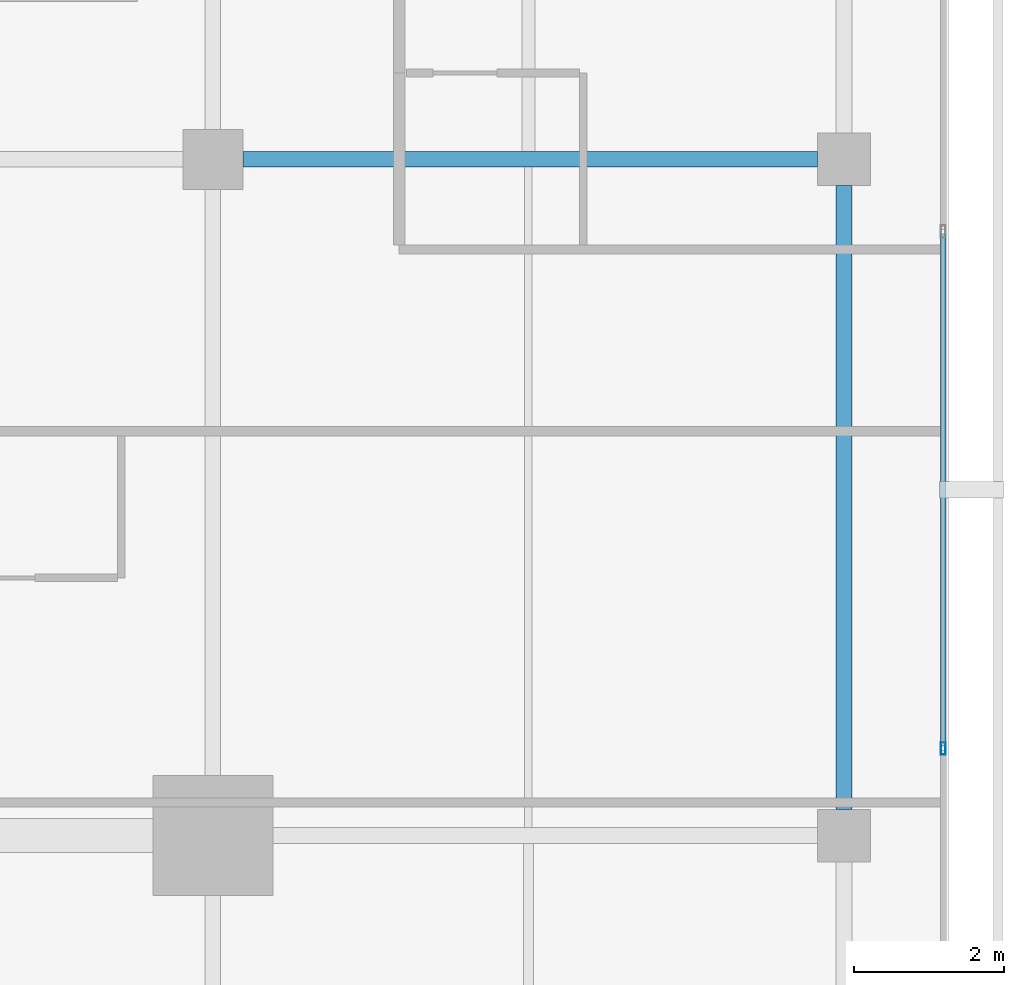
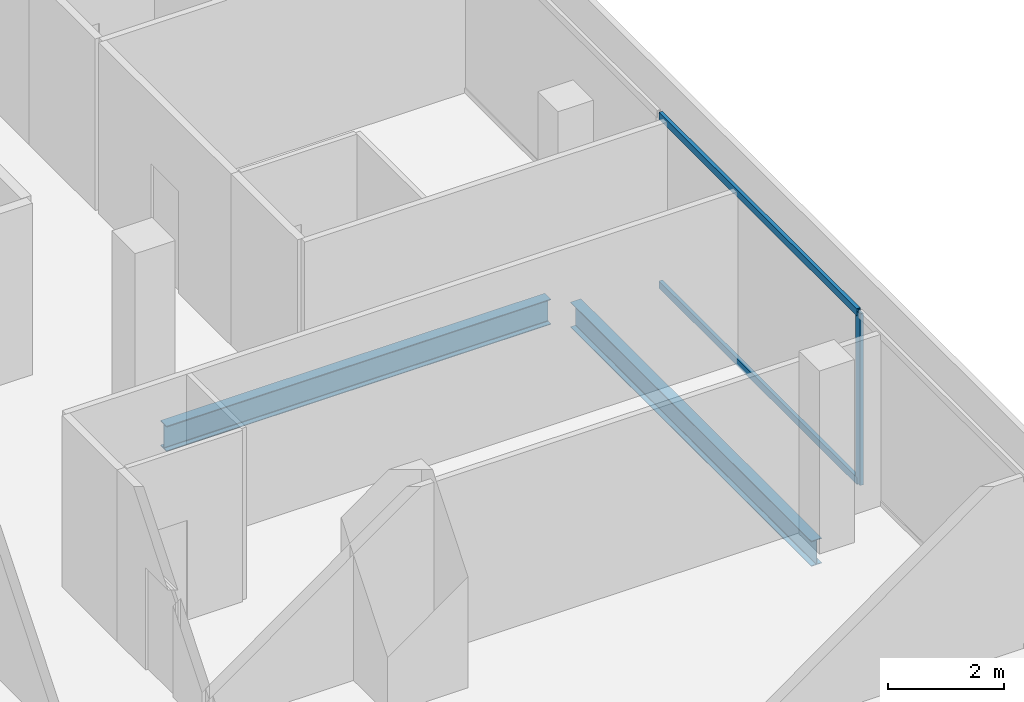
# One storey, part 14 of 25: 3 members, 2 beams, 1 element without a shape of its own.
"""IFC4 building model written with IfcOpenShell, lengths in metres."""

from ifc_helpers import new_model, si_unit, direction, frame, origin, origin_2d, place, context, subcontext, project, spatial, hollow_rectangle, i_section, extrude, material, layer, layer_set, material_profile, profile_set, type_object, element, aggregate, save


model = new_model("IFC4")

# Units and contexts
model_context = context("Model", 3, precision=1e-05, world=origin(), true_north=direction((0.0, 1.0)))
body_context = subcontext(model_context, "Body", "Model", "MODEL_VIEW")
ifc_project = project(units=[si_unit("LENGTHUNIT", "METRE"), si_unit("AREAUNIT", "SQUARE_METRE"), si_unit("VOLUMEUNIT", "CUBIC_METRE"), si_unit("PLANEANGLEUNIT", "RADIAN"), si_unit("MASSUNIT", "GRAM", prefix="KILO")], contexts=[model_context])

# Site, building, storey
site_placement = place(None, origin())
site = spatial("IfcSite", under=ifc_project, at=site_placement, CompositionType="ELEMENT")
building_placement = place(site_placement, origin())
building = spatial("IfcBuilding", under=site, at=building_placement, Name="Maruvema Waterfront Hotel and Observation Tower", CompositionType="ELEMENT")
storey_placement = place(building_placement, frame((0.0, 0.0, 250.949951171875)))
storey = spatial("IfcBuildingStorey", under=building, at=storey_placement, Name="L61", CompositionType="ELEMENT", Elevation=250.949951171875)

# Curtain wall, members
ifc_material_1 = material(Name="Anodised bronze aluminium and solar-control low-E IGU", Category="aluminium")
ifc_layer = layer(ifc_material_1, 0.159912109375, Name="Zone 3 Champagne Inner Thermal Curtain Wall System CW-04")
ifc_layer_set = layer_set([ifc_layer], Name="Anodised bronze aluminium and solar-control low-E IGU")
curtain_wall_type = type_object("IfcCurtainWallType", Name="Zone 3 Champagne Inner Thermal Curtain Wall System CW-04", PredefinedType="USERDEFINED", material=ifc_layer_set)
curtain_wall_placement = place(storey_placement, origin())
curtain_wall = element("IfcCurtainWall", 1, at=curtain_wall_placement, inside=storey, type_object=curtain_wall_type, Name="L61 Curtain Wall CW-L61-E", ObjectType="UNITISED CURTAIN WALL", PredefinedType="USERDEFINED")
ifc_material_2 = material(Name="Anodised architectural bronze aluminium", Category="aluminium")
ifc_material_profile_1 = material_profile(ifc_material_2, hollow_rectangle(XDim=0.070068359375, YDim=0.14990234375, WallThickness=0.00390625, at=origin_2d()), Name="ALU-T70x150")
ifc_profile_set_1 = profile_set([ifc_material_profile_1], Name="Anodised architectural bronze aluminium")
member_type_1 = type_object("IfcMemberType", Name="Curtain Wall Horizontal Transom ALU-T70x150", PredefinedType="USERDEFINED", material=ifc_profile_set_1)
member_1_placement = place(storey_placement, frame((60.1201171875, 28.18994140625, 0.030029296875), z_axis=(0.0, 1.0, 0.0), x_axis=(-1.0, 0.0, 0.0)))
member_1 = element("IfcMember", 2, at=member_1_placement, type_object=member_type_1, Name="CW-04 transom 3.1", ObjectType="TRANSOM", PredefinedType="USERDEFINED", context=body_context, shape_type="SweptSolid", body=[
    extrude(hollow_rectangle(XDim=0.070068359375, YDim=0.14990234375, WallThickness=0.00390625, at=origin_2d()), origin(), (0.0, 0.0, 1.0), 6.820068359375),
])
member_2_placement = place(storey_placement, frame((60.1201171875, 28.18994140625, 3.580078125), z_axis=(0.0, 1.0, 0.0), x_axis=(-1.0, 0.0, 0.0)))
member_2 = element("IfcMember", 3, at=member_2_placement, type_object=member_type_1, Name="CW-04 transom 3.2", ObjectType="TRANSOM", PredefinedType="USERDEFINED", context=body_context, shape_type="SweptSolid", body=[
    extrude(hollow_rectangle(XDim=0.070068359375, YDim=0.14990234375, WallThickness=0.00390625, at=origin_2d()), origin(), (0.0, 0.0, 1.0), 6.820068359375),
])
ifc_material_3 = material(Name="Anodised architectural bronze aluminium", Category="aluminium")
ifc_material_profile_2 = material_profile(ifc_material_3, hollow_rectangle(XDim=0.06494140625, YDim=0.1650390625, WallThickness=0.00390625, at=origin_2d()), Name="ALU-M65x165")
ifc_profile_set_2 = profile_set([ifc_material_profile_2], Name="Anodised architectural bronze aluminium")
member_type_2 = type_object("IfcMemberType", Name="Curtain Wall Primary Mullion ALU-M65x165", PredefinedType="MULLION", material=ifc_profile_set_2)
member_3_placement = place(storey_placement, frame((60.1201171875, 28.159912109375, 0.0), z_axis=(0.0, 0.0, 1.0), x_axis=(-1.0, 0.0, 0.0)))
member_3 = element("IfcMember", 4, at=member_3_placement, type_object=member_type_2, Name="CW-04 mullion 3", PredefinedType="MULLION", context=body_context, shape_type="SweptSolid", body=[
    extrude(hollow_rectangle(XDim=0.06494140625, YDim=0.1650390625, WallThickness=0.00390625, at=origin_2d()), origin(), (0.0, 0.0, 1.0), 3.610107421875),
])
aggregate(curtain_wall, [member_3, member_1, member_2])

# Beams
ifc_material_4 = material(Name="Steel ASTM A572 Grade 50", Category="steel")
ifc_material_profile_3 = material_profile(ifc_material_4, i_section(OverallWidth=0.208984375, OverallDepth=0.532958984375, WebThickness=0.01025390625, FlangeThickness=0.015625, FilletRadius=0.014892578125, at=origin_2d()), Name="W530x92.0")
ifc_profile_set_3 = profile_set([ifc_material_profile_3], Name="Steel ASTM A572 Grade 50")
beam_type = type_object("IfcBeamType", Name="Primary Floor Girder W530x92.0", PredefinedType="BEAM", material=ifc_profile_set_3)
beam_1_placement = place(storey_placement, frame((50.800048828125, 36.0, -0.50634765625), z_axis=(1.0, 0.0, 0.0), x_axis=(0.0, 1.0, 0.0)))
element("IfcBeam", 5, at=beam_1_placement, inside=storey, type_object=beam_type, Name="L61 Floor Girder EW-16", PredefinedType="BEAM", context=body_context, shape_type="SweptSolid", body=[
    extrude(i_section(OverallWidth=0.208984375, OverallDepth=0.532958984375, WebThickness=0.01025390625, FlangeThickness=0.015625, FilletRadius=0.014892578125, at=origin_2d()), origin(), (0.0, 0.0, 1.0), 7.64990234375),
])
beam_2_placement = place(storey_placement, frame((58.800048828125, 27.35009765625, -0.50634765625), z_axis=(0.0, 1.0, 0.0), x_axis=(-1.0, 0.0, 0.0)))
element("IfcBeam", 6, at=beam_2_placement, inside=storey, type_object=beam_type, Name="L61 Floor Girder NS-17", PredefinedType="BEAM", context=body_context, shape_type="SweptSolid", body=[
    extrude(i_section(OverallWidth=0.208984375, OverallDepth=0.532958984375, WebThickness=0.01025390625, FlangeThickness=0.015625, FilletRadius=0.014892578125, at=origin_2d()), origin(), (0.0, 0.0, 1.0), 8.2998046875),
])

save(model, "model.ifc")
